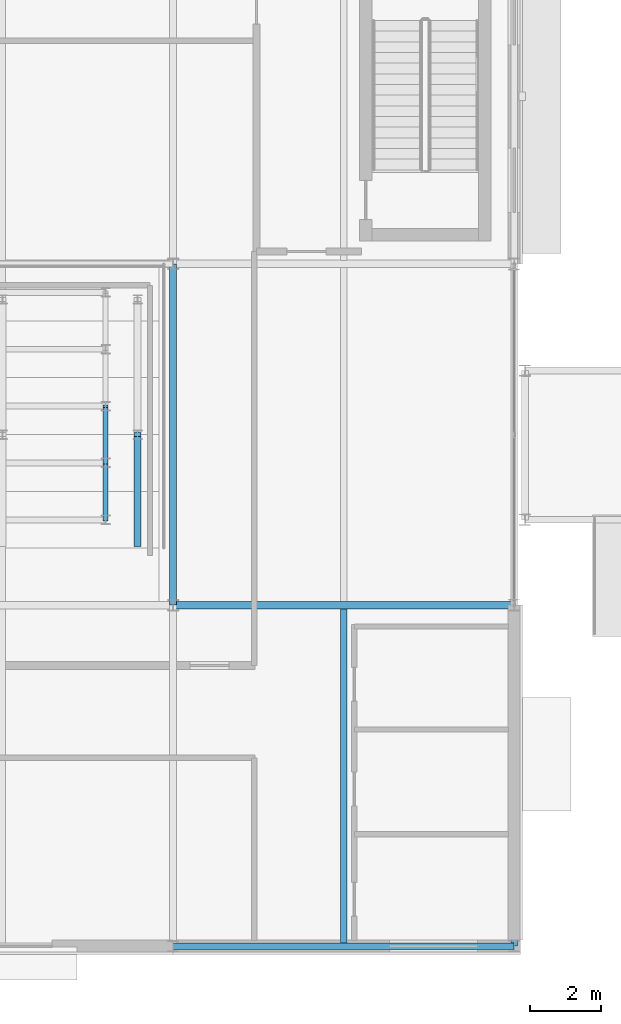
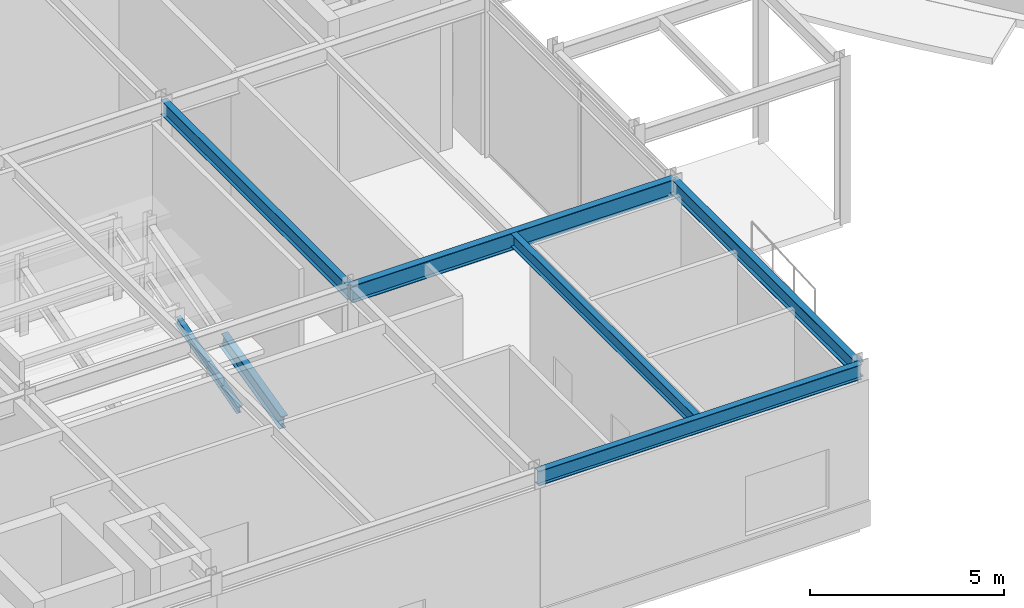
# One storey, part 21 of 168: 8 beams.
"""IFC4 building model written with IfcOpenShell, lengths in metres."""

import ifcopenshell
import ifcopenshell.guid

model = None  # the IFC model being written
_history = None  # IfcOwnerHistory: only IFC2X3 demands one
_inside = {}  # id of a spatial element -> (the spatial element, [elements in it])
_under = {}  # id of a project, library or spatial element -> (it, [spatial elements below it])
_declared = {}  # id of a project -> (the project, [libraries it declares])
_typed = {}  # id of a type object -> (the type object, [elements of that type])
_made_of = {}  # id of a material, layer set ... -> (it, [elements and type objects made of it])


def new_model(schema):
    """Start an empty IFC model of exactly this schema.

    Asked for "IFC4X3", IfcOpenShell would pick the latest addendum, in which some entities
    have other attributes; the version numbers below select the first issue.
    IFC2X3 requires an IfcOwnerHistory on every rooted entity: one is made here for all.
    """
    global model, _history
    if schema == "IFC4X3":
        model = ifcopenshell.file(schema_version=(4, 3, 0, 0))
    else:
        model = ifcopenshell.file(schema=schema)
    _inside.clear()
    _under.clear()
    _declared.clear()
    _typed.clear()
    _made_of.clear()
    _history = None
    if model.schema == "IFC2X3":
        org = make("IfcOrganization", Name="unknown")
        user = make(
            "IfcPersonAndOrganization",
            ThePerson=make("IfcPerson", FamilyName="unknown"),
            TheOrganization=org,
        )
        app = make(
            "IfcApplication",
            ApplicationDeveloper=org,
            Version="unknown",
            ApplicationFullName="unknown",
            ApplicationIdentifier="unknown",
        )
        _history = make(
            "IfcOwnerHistory",
            OwningUser=user,
            OwningApplication=app,
            ChangeAction="ADDED",
            CreationDate=0,
        )
    return model


def make(cls, **values):
    """One entity of the class cls with the attributes given. An attribute that is None is left unset."""
    return model.create_entity(
        cls, **{name: value for name, value in values.items() if value is not None}
    )


def rooted(cls, **values):
    """An entity with a GlobalId (a new one), such as an element, a storey or a relation."""
    return make(cls, GlobalId=ifcopenshell.guid.new(), OwnerHistory=_history, **values)


def si_unit(unit_type, name, prefix=None):
    """IfcSIUnit, for example si_unit("LENGTHUNIT", "METRE", prefix="MILLI")."""
    return make("IfcSIUnit", UnitType=unit_type, Prefix=prefix, Name=name)


def assignment(units):
    """IfcUnitAssignment: the units of a project."""
    return None if units is None else make("IfcUnitAssignment", Units=units)


def point(xyz):
    """IfcCartesianPoint."""
    return None if xyz is None else make("IfcCartesianPoint", Coordinates=xyz)


def direction(xyz):
    """IfcDirection."""
    return None if xyz is None else make("IfcDirection", DirectionRatios=xyz)


def frame(location, z_axis=None, x_axis=None):
    """IfcAxis2Placement3D, a coordinate frame: its origin and axes. An axis left out is left unset."""
    return make(
        "IfcAxis2Placement3D",
        Location=point(location),
        Axis=direction(z_axis),
        RefDirection=direction(x_axis),
    )


def frame_2d(location, x_axis=None):
    """IfcAxis2Placement2D, a coordinate frame in the plane: its origin and x axis."""
    return make(
        "IfcAxis2Placement2D", Location=point(location), RefDirection=direction(x_axis)
    )


def origin():
    """The frame at (0, 0, 0) with its axes left unset."""
    return frame((0.0, 0.0, 0.0))


def origin_2d():
    """The frame at (0, 0) in the plane with its x axis left unset."""
    return frame_2d((0.0, 0.0))


def place(relative_to, where):
    """IfcLocalPlacement: puts the frame where relative to a parent placement (None: the world)."""
    return make(
        "IfcLocalPlacement", PlacementRelTo=relative_to, RelativePlacement=where
    )


def context(
    kind, dimensions, precision=None, world=None, true_north=None, identifier=None
):
    """IfcGeometricRepresentationContext, for example the 3D "Model" context."""
    return make(
        "IfcGeometricRepresentationContext",
        ContextIdentifier=identifier,
        ContextType=kind,
        CoordinateSpaceDimension=dimensions,
        Precision=precision,
        WorldCoordinateSystem=world,
        TrueNorth=true_north,
    )


def subcontext(parent, identifier, kind, view, scale=None):
    """IfcGeometricRepresentationSubContext, for example "Body" below "Model"."""
    return make(
        "IfcGeometricRepresentationSubContext",
        ContextIdentifier=identifier,
        ContextType=kind,
        ParentContext=parent,
        TargetScale=scale,
        TargetView=view,
    )


def project(units=None, contexts=None):
    """IfcProject with its units and contexts."""
    return rooted(
        "IfcProject",
        Name="project",
        RepresentationContexts=contexts,
        UnitsInContext=assignment(units),
    )


def spatial(cls, under=None, at=None, **own):
    """A site, building, storey or space (cls), placed at a placement, below another one or the project."""
    s = rooted(cls, ObjectPlacement=at, **own)
    if under is not None:
        _under.setdefault(under.id(), (under, []))[1].append(s)
    return s


def profile(cls, at=None, kind="AREA", **sizes):
    """A parametric profile (cls). Its sizes go by their IFC names, for example OverallWidth=200.0."""
    return make(cls, ProfileType=kind, Position=at, **sizes)


def i_section(**sizes):
    """IfcIShapeProfileDef."""
    return profile("IfcIShapeProfileDef", **sizes)


def extrude(swept, where, along, depth):
    """IfcExtrudedAreaSolid: the profile swept, set in the frame where, extruded along a direction by depth."""
    return make(
        "IfcExtrudedAreaSolid",
        SweptArea=swept,
        Position=where,
        ExtrudedDirection=direction(along),
        Depth=depth,
    )


def shape(context_of_items, identifier, shape_type, items):
    """IfcShapeRepresentation: the items that make up one representation, for example the "Body"."""
    return make(
        "IfcShapeRepresentation",
        ContextOfItems=context_of_items,
        RepresentationIdentifier=identifier,
        RepresentationType=shape_type,
        Items=items,
    )


def material(Name=None, Category=None):
    """IfcMaterial."""
    return make("IfcMaterial", Name=Name, Category=Category)


def material_profile(
    of_material, cross_section, Name=None, Category=None, Priority=None
):
    """IfcMaterialProfile: a cross section and its material."""
    return make(
        "IfcMaterialProfile",
        Name=Name,
        Material=of_material,
        Profile=cross_section,
        Priority=Priority,
        Category=Category,
    )


def profile_set(profiles, Name=None, composite=None):
    """IfcMaterialProfileSet."""
    return make(
        "IfcMaterialProfileSet",
        Name=Name,
        MaterialProfiles=profiles,
        CompositeProfile=composite,
    )


def made_of(thing, what):
    """Note that an element or type object is made of a material, layer set ...; save() writes the relation."""
    if what is not None:
        _made_of.setdefault(what.id(), (what, []))[1].append(thing)
    return thing


def type_object(cls, material=None, **own):
    """A type object (cls), such as IfcWallType, which elements share."""
    return made_of(rooted(cls, **own), material)


def element(
    cls,
    number,
    at=None,
    inside=None,
    cuts=None,
    type_object=None,
    material=None,
    context=None,
    identifier="Body",
    shape_type=None,
    held_by="IfcProductDefinitionShape",
    body=None,
    shapes=None,
    **own,
):
    """One element of the class cls, such as IfcWall. Its Tag is "e" and its number.

    at: its placement. inside: the storey or other place that contains it. cuts: it is an
    opening in that element (IfcRelVoidsElement). A single representation is given by context,
    identifier, shape_type and body (its items); several are given by shapes. held_by: the class
    of the entity that holds the representations. save() writes the other relations.
    """
    e = rooted(cls, Tag="e%d" % number, ObjectPlacement=at, **own)
    if body is not None:
        shapes = [shape(context, identifier, shape_type, body)]
    if shapes is not None:
        e.Representation = make(held_by, Representations=shapes)
    if inside is not None:
        _inside.setdefault(inside.id(), (inside, []))[1].append(e)
    if cuts is not None:
        rooted(
            "IfcRelVoidsElement", RelatingBuildingElement=cuts, RelatedOpeningElement=e
        )
    if type_object is not None:
        _typed.setdefault(type_object.id(), (type_object, []))[1].append(e)
    return made_of(e, material)


def aggregate(whole, parts):
    """IfcRelAggregates: a whole, such as a stair, and the parts it consists of."""
    return rooted("IfcRelAggregates", RelatingObject=whole, RelatedObjects=parts)


def save(model, path):
    """Write the relations noted so far, then the file.

    IfcRelAggregates (storeys below a building ...), IfcRelContainedInSpatialStructure (elements
    in a storey), IfcRelDefinesByType, IfcRelAssociatesMaterial and IfcRelDeclares: one each for
    every whole, place, type object, material and project.
    """
    for whole, parts in _under.values():
        aggregate(whole, parts)
    for where, things in _inside.values():
        rooted(
            "IfcRelContainedInSpatialStructure",
            RelatedElements=things,
            RelatingStructure=where,
        )
    for kind, things in _typed.values():
        rooted("IfcRelDefinesByType", RelatedObjects=things, RelatingType=kind)
    for what, things in _made_of.values():
        rooted("IfcRelAssociatesMaterial", RelatedObjects=things, RelatingMaterial=what)
    for by, libraries in _declared.values():
        rooted("IfcRelDeclares", RelatingContext=by, RelatedDefinitions=libraries)
    model.write(path)


model = new_model("IFC4")

# Units and contexts
model_context = context("Model", 3, precision=1e-05, world=origin(), true_north=direction((0.0, 1.0)))
body_context = subcontext(model_context, "Body", "Model", "MODEL_VIEW")
ifc_project = project(units=[si_unit("LENGTHUNIT", "METRE"), si_unit("AREAUNIT", "SQUARE_METRE"), si_unit("VOLUMEUNIT", "CUBIC_METRE"), si_unit("PLANEANGLEUNIT", "RADIAN"), si_unit("MASSUNIT", "GRAM", prefix="KILO")], contexts=[model_context])

# Site, building, storey
site_placement = place(None, origin())
site = spatial("IfcSite", under=ifc_project, at=site_placement, CompositionType="ELEMENT")
building_placement = place(site_placement, origin())
building = spatial("IfcBuilding", under=site, at=building_placement, Name="Almandine Court Research Institute", CompositionType="ELEMENT")
storey_placement = place(building_placement, origin())
storey = spatial("IfcBuildingStorey", under=building, at=storey_placement, Name="L00", CompositionType="ELEMENT", Elevation=0.0)

# Beams
ifc_material = material(Name="Steel ASTM A992 Grade 50", Category="steel")
ifc_material_profile_1 = material_profile(ifc_material, i_section(OverallWidth=0.18994140625, OverallDepth=0.45703125, WebThickness=0.009033203125, FlangeThickness=0.014892578125, at=origin_2d()), Name="W460x74")
ifc_profile_set_1 = profile_set([ifc_material_profile_1], Name="Steel ASTM A992 Grade 50")
beam_type_1 = type_object("IfcBeamType", Name="Beam-B-01", PredefinedType="BEAM", material=ifc_profile_set_1)
beam_1_placement = place(storey_placement, frame((25.199951171875, 15.60009765625, 4.841064453125), z_axis=(0.0, 1.0, 0.0), x_axis=(-1.0, 0.0, 0.0)))
element("IfcBeam", 1, at=beam_1_placement, inside=storey, type_object=beam_type_1, Name="L00 V1 Primary Y Girder", PredefinedType="BEAM", context=body_context, shape_type="SweptSolid", body=[
    extrude(i_section(OverallWidth=0.18994140625, OverallDepth=0.45703125, WebThickness=0.009033203125, FlangeThickness=0.014892578125, at=origin_2d()), origin(), (0.0, 0.0, 1.0), 9.599853515625),
])
ifc_material_profile_2 = material_profile(ifc_material, i_section(OverallWidth=0.178955078125, OverallDepth=0.409912109375, WebThickness=0.009033203125, FlangeThickness=0.013916015625, at=origin_2d()), Name="W410x67")
ifc_profile_set_2 = profile_set([ifc_material_profile_2], Name="Steel ASTM A992 Grade 50")
beam_type_2 = type_object("IfcBeamType", Name="Beam-B-02", PredefinedType="JOIST", material=ifc_profile_set_2)
beam_2_placement = place(storey_placement, frame((30.0, 6.094970703125, 4.864990234375), z_axis=(0.0, 1.0, 0.0), x_axis=(-1.0, 0.0, 0.0)))
element("IfcBeam", 2, at=beam_2_placement, inside=storey, type_object=beam_type_2, Name="L00 V1 Composite Secondary Beam", PredefinedType="JOIST", context=body_context, shape_type="SweptSolid", body=[
    extrude(i_section(OverallWidth=0.178955078125, OverallDepth=0.409912109375, WebThickness=0.009033203125, FlangeThickness=0.013916015625, at=origin_2d()), origin(), (0.0, 0.0, 1.0), 9.401123046875),
])
ifc_material_profile_3 = material_profile(ifc_material, i_section(OverallWidth=0.2109375, OverallDepth=0.5390625, WebThickness=0.011962890625, FlangeThickness=0.01904296875, at=origin_2d()), Name="W530x109")
ifc_profile_set_3 = profile_set([ifc_material_profile_3], Name="Steel ASTM A992 Grade 50")
beam_type_3 = type_object("IfcBeamType", Name="Beam-G-04", PredefinedType="BEAM", material=ifc_profile_set_3)
beam_3_placement = place(storey_placement, frame((25.199951171875, 15.60009765625, 4.801025390625), z_axis=(1.0, 0.0, 0.0), x_axis=(0.0, 1.0, 0.0)))
element("IfcBeam", 3, at=beam_3_placement, inside=storey, type_object=beam_type_3, Name="L00 V1 Primary X Girder", PredefinedType="BEAM", context=body_context, shape_type="SweptSolid", body=[
    extrude(i_section(OverallWidth=0.2109375, OverallDepth=0.5390625, WebThickness=0.011962890625, FlangeThickness=0.01904296875, at=origin_2d()), origin(), (0.0, 0.0, 1.0), 9.60009765625),
])
ifc_material_profile_4 = material_profile(ifc_material, i_section(OverallWidth=0.193115234375, OverallDepth=0.466064453125, WebThickness=0.010986328125, FlangeThickness=0.01904296875, at=origin_2d()), Name="W460x97")
ifc_profile_set_4 = profile_set([ifc_material_profile_4], Name="Steel ASTM A992 Grade 50")
beam_type_4 = type_object("IfcBeamType", Name="Beam-G-06-E", PredefinedType="SPANDREL", material=ifc_profile_set_4)
for number, where, z_axis, x_axis, name in (
    (4, (25.199951171875, 6.0, 4.8369140625), (1.0, 0.0, 0.0), (0.0, 1.0, 0.0), "L00 V1 Primary X Girder"),
    (5, (34.800048828125, 6.0, 4.8369140625), (0.0, 1.0, 0.0), (-1.0, 0.0, 0.0), "L00 V1 Primary Y Girder"),
):
    element("IfcBeam", number, at=place(storey_placement, frame(where, z_axis=z_axis, x_axis=x_axis)), inside=storey, type_object=beam_type_4, Name=name, PredefinedType="SPANDREL", context=body_context, shape_type="SweptSolid", body=[
        extrude(i_section(OverallWidth=0.193115234375, OverallDepth=0.466064453125, WebThickness=0.010986328125, FlangeThickness=0.01904296875, at=origin_2d()), origin(), (0.0, 0.0, 1.0), 9.60009765625),
    ])
ifc_material_profile_5 = material_profile(ifc_material, i_section(OverallWidth=0.14697265625, OverallDepth=0.261962890625, WebThickness=0.007080078125, FlangeThickness=0.010986328125, at=origin_2d()), Name="W250x39")
ifc_profile_set_5 = profile_set([ifc_material_profile_5], Name="Steel ASTM A992 Grade 50")
beam_type_5 = type_object("IfcBeamType", Name="Beam-L-01", PredefinedType="LINTEL", material=ifc_profile_set_5)
beam_4_placement = place(storey_placement, frame((23.300048828125, 18.0, 0.333984375), z_axis=(0.0, 0.962662902433, 0.270703040766), x_axis=(-1.0, 0.0, 0.0)))
element("IfcBeam", 6, at=beam_4_placement, inside=storey, type_object=beam_type_5, Name="L00 Lecture Tier Stringer E-1", PredefinedType="LINTEL", context=body_context, shape_type="SweptSolid", body=[
    extrude(i_section(OverallWidth=0.14697265625, OverallDepth=0.261962890625, WebThickness=0.007080078125, FlangeThickness=0.010986328125, at=origin_2d()), origin(), (0.0, 0.0, 1.0), 1.662109375),
])
beam_5_placement = place(storey_placement, frame((23.300048828125, 19.60009765625, 0.783935546875), z_axis=(0.0, 0.962652136636, 0.270741322725), x_axis=(-1.0, 0.0, 0.0)))
element("IfcBeam", 7, at=beam_5_placement, inside=storey, type_object=beam_type_5, Name="L00 Lecture Tier Stringer E-2", PredefinedType="LINTEL", context=body_context, shape_type="SweptSolid", body=[
    extrude(i_section(OverallWidth=0.14697265625, OverallDepth=0.261962890625, WebThickness=0.007080078125, FlangeThickness=0.010986328125, at=origin_2d()), origin(), (0.0, 0.0, 1.0), 1.661865234375),
])
ifc_material_profile_6 = material_profile(ifc_material, i_section(OverallWidth=0.193115234375, OverallDepth=0.466064453125, WebThickness=0.010986328125, FlangeThickness=0.01904296875, at=origin_2d()), Name="W460x97")
ifc_profile_set_6 = profile_set([ifc_material_profile_6], Name="Steel ASTM A992 Grade 50")
beam_type_6 = type_object("IfcBeamType", Name="Beam-RK-01", PredefinedType="USERDEFINED", material=ifc_profile_set_6)
beam_6_placement = place(storey_placement, frame((24.199951171875, 17.300048828125, 0.052001953125), z_axis=(0.0, 0.971956234234, 0.235161813938), x_axis=(-1.0, 0.0, 0.0)))
element("IfcBeam", 8, at=beam_6_placement, inside=storey, type_object=beam_type_6, Name="L00 Lecture Theatre Raker Girder 3-1", ObjectType="RAKER", PredefinedType="USERDEFINED", context=body_context, shape_type="SweptSolid", body=[
    extrude(i_section(OverallWidth=0.193115234375, OverallDepth=0.466064453125, WebThickness=0.010986328125, FlangeThickness=0.01904296875, at=origin_2d()), origin(), (0.0, 0.0, 1.0), 3.189208984375),
])

save(model, "model.ifc")
